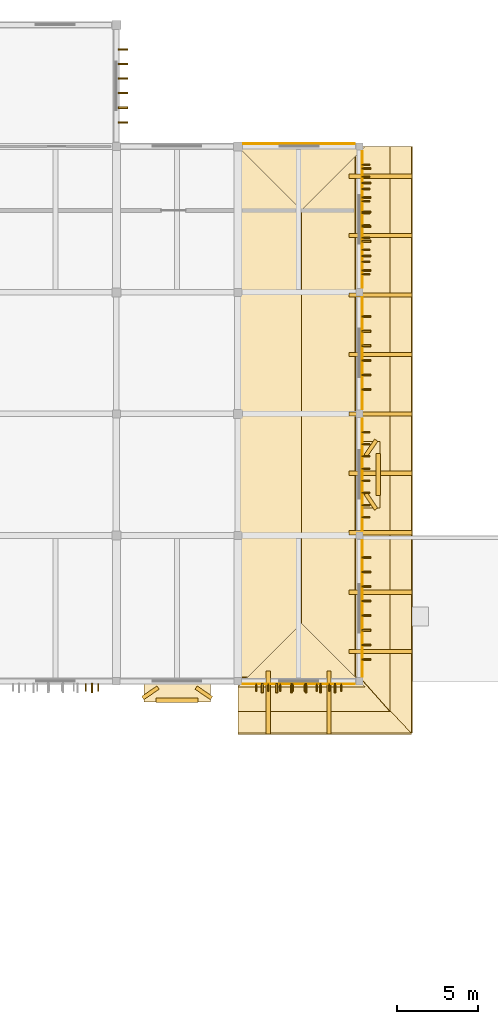
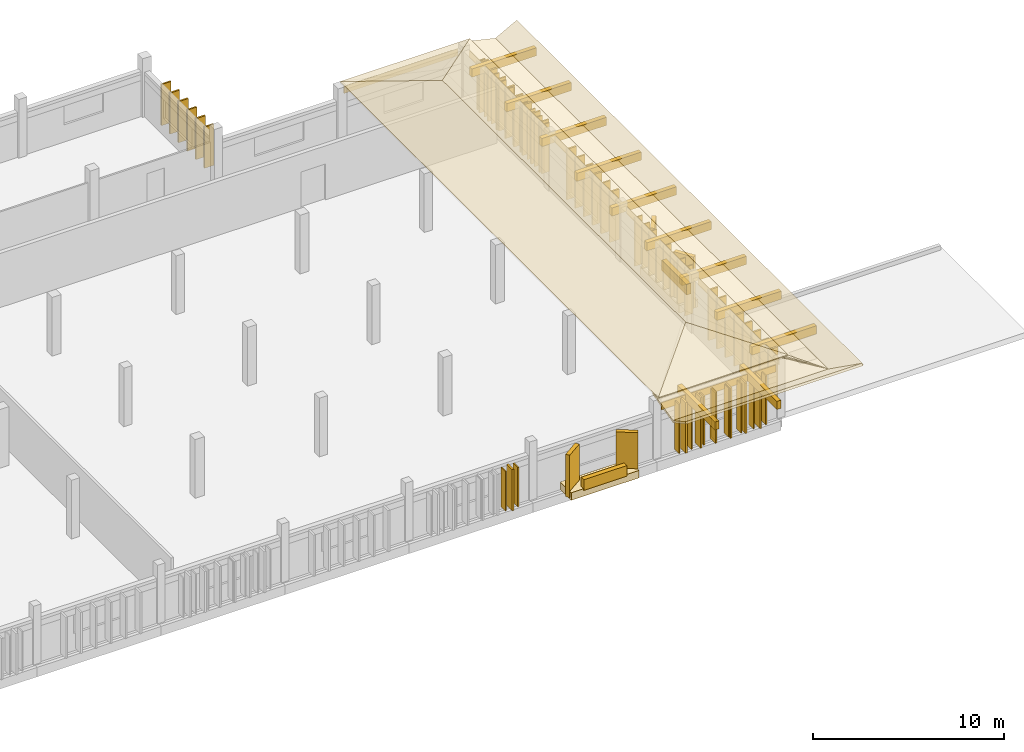
# One storey, part 43 of 43: 68 coverings, 28 shading devices.
"""IFC4 building model written with IfcOpenShell, lengths in metres."""

from ifc_helpers import new_model, si_unit, direction, frame, origin, origin_2d, place, context, subcontext, project, spatial, polyline, rectangle, outline, extrude, material, layer, layer_set, type_object, element, save


model = new_model("IFC4")

# Units and contexts
model_context = context("Model", 3, precision=1e-05, world=origin(), true_north=direction((0.0, 1.0)))
body_context = subcontext(model_context, "Body", "Model", "MODEL_VIEW")
ifc_project = project(units=[si_unit("LENGTHUNIT", "METRE"), si_unit("AREAUNIT", "SQUARE_METRE"), si_unit("VOLUMEUNIT", "CUBIC_METRE"), si_unit("PLANEANGLEUNIT", "RADIAN"), si_unit("MASSUNIT", "GRAM", prefix="KILO")], contexts=[model_context])

# Site, building, storey
site_placement = place(None, origin())
site = spatial("IfcSite", under=ifc_project, at=site_placement, CompositionType="ELEMENT")
building_placement = place(site_placement, origin())
building = spatial("IfcBuilding", under=site, at=building_placement, Name="Dalvernix Boulevard General Hospital", CompositionType="ELEMENT")
storey_placement = place(building_placement, frame((0.0, 0.0, 14.10009765625)))
storey = spatial("IfcBuildingStorey", under=building, at=storey_placement, Name="L03", CompositionType="ELEMENT", Elevation=14.10009765625)

# Coverings
ifc_material_1 = material(Name="Polychrome glazed Catalan trencadis ceramic faceted bay spandrel")
ifc_layer_1 = layer(ifc_material_1, 0.280029296875)
ifc_layer_set_1 = layer_set([ifc_layer_1], Name="Polychrome glazed Catalan trencadis ceramic faceted bay spandrel (COV-BAY-01)")
covering_type_1 = type_object("IfcCoveringType", Name="COV-BAY-01", PredefinedType="CLADDING", material=ifc_layer_set_1)
covering_1_placement = place(storey_placement, frame((131.25, 75.340087890625, 0.3798828125), z_axis=(0.0, 0.0, 1.0), x_axis=(-1.0, 0.0, 0.0)))
element("IfcCovering", 1, at=covering_1_placement, inside=storey, type_object=covering_type_1, Name="L03 projecting faceted trencadis bay spandrel S 17-10", PredefinedType="CLADDING", context=body_context, shape_type="SweptSolid", body=[
    extrude(rectangle(XDim=2.60009765625, YDim=0.280029296875, at=origin_2d()), origin(), (0.0, 0.0, 1.0), 0.679931640625),
])
for number, where, z_axis, x_axis, name in (
    (2, (132.89990234375, 75.7900390625, 0.079833984375), (0.0, 0.0, 1.0), (-0.829037572555, 0.559192903471, 0.0), "L03 projecting faceted Catalan bay cheek S 17-10-L"),
    (3, (129.60009765625, 75.7900390625, 0.079833984375), (0.0, 0.0, 1.0), (-0.829037572555, -0.559192903471, 0.0), "L03 projecting faceted Catalan bay cheek S 17-10-R"),
):
    element("IfcCovering", number, at=place(storey_placement, frame(where, z_axis=z_axis, x_axis=x_axis)), inside=storey, type_object=covering_type_1, Name=name, PredefinedType="CLADDING", context=body_context, shape_type="SweptSolid", body=[
        extrude(rectangle(XDim=1.14990234375, YDim=0.239990234375, at=origin_2d()), origin(), (0.0, 0.0, 1.0), 2.7099609375),
    ])
covering_2_placement = place(storey_placement, frame((143.659912109375, 89.25, 0.3798828125), z_axis=(0.0, 0.0, 1.0), x_axis=(0.0, -1.0, 0.0)))
element("IfcCovering", 4, at=covering_2_placement, inside=storey, type_object=covering_type_1, Name="L03 projecting faceted trencadis bay spandrel E 19-11", PredefinedType="CLADDING", context=body_context, shape_type="SweptSolid", body=[
    extrude(rectangle(XDim=2.60009765625, YDim=0.280029296875, at=origin_2d()), origin(), (0.0, 0.0, 1.0), 0.679931640625),
])
for number, where, z_axis, x_axis, name in (
    (5, (143.2099609375, 90.89990234375, 0.079833984375), (0.0, 0.0, 1.0), (-0.559192903471, -0.829037572555, 0.0), "L03 projecting faceted Catalan bay cheek E 19-11-L"),
    (6, (143.2099609375, 87.60009765625, 0.079833984375), (0.0, 0.0, 1.0), (0.559192903471, -0.829037572555, 0.0), "L03 projecting faceted Catalan bay cheek E 19-11-R"),
):
    element("IfcCovering", number, at=place(storey_placement, frame(where, z_axis=z_axis, x_axis=x_axis)), inside=storey, type_object=covering_type_1, Name=name, PredefinedType="CLADDING", context=body_context, shape_type="SweptSolid", body=[
        extrude(rectangle(XDim=1.14990234375, YDim=0.239990234375, at=origin_2d()), origin(), (0.0, 0.0, 1.0), 3.31005859375),
    ])
ifc_material_2 = material(Name="Polychrome Catalan glazed ceramic spandrel tile panel")
ifc_layer_2 = layer(ifc_material_2, 0.044921875)
ifc_layer_set_2 = layer_set([ifc_layer_2], Name="Polychrome Catalan glazed ceramic spandrel tile panel (COV-CLD-01)")
covering_type_2 = type_object("IfcCoveringType", Name="COV-CLD-01", PredefinedType="CLADDING", material=ifc_layer_set_2)
covering_3_placement = place(storey_placement, frame((138.75, 76.330078125, 2.9951171875), z_axis=(0.0, 0.0, 1.0), x_axis=(-1.0, 0.0, 0.0)))
element("IfcCovering", 7, at=covering_3_placement, inside=storey, type_object=covering_type_2, Name="L03 polychrome ceramic spandrel S 18-10", PredefinedType="CLADDING", context=body_context, shape_type="SweptSolid", body=[
    extrude(rectangle(XDim=6.929931640625, YDim=0.044921875, at=origin_2d()), origin(), (0.0, 0.0, 1.0), 0.449951171875),
])
covering_4_placement = place(storey_placement, frame((142.669921875, 81.0, 2.9951171875), z_axis=(0.0, 0.0, 1.0), x_axis=(0.0, -1.0, 0.0)))
element("IfcCovering", 8, at=covering_4_placement, inside=storey, type_object=covering_type_2, Name="L03 polychrome ceramic spandrel E 19-10", PredefinedType="CLADDING", context=body_context, shape_type="SweptSolid", body=[
    extrude(rectangle(XDim=8.429931640625, YDim=0.044921875, at=origin_2d()), origin(), (0.0, 0.0, 1.0), 0.449951171875),
])
for number, where, z_axis, x_axis, name in (
    (9, (142.669921875, 89.25, 2.9951171875), (0.0, 0.0, 1.0), (0.0, -1.0, 0.0), "L03 polychrome ceramic spandrel E 19-11"),
    (10, (142.669921875, 96.75, 2.9951171875), (0.0, 0.0, 1.0), (0.0, -1.0, 0.0), "L03 polychrome ceramic spandrel E 19-12"),
):
    element("IfcCovering", number, at=place(storey_placement, frame(where, z_axis=z_axis, x_axis=x_axis)), inside=storey, type_object=covering_type_2, Name=name, PredefinedType="CLADDING", context=body_context, shape_type="SweptSolid", body=[
        extrude(rectangle(XDim=6.929931640625, YDim=0.044921875, at=origin_2d()), origin(), (0.0, 0.0, 1.0), 0.449951171875),
    ])
covering_5_placement = place(storey_placement, frame((138.77490234375, 109.669921875, 2.9951171875), z_axis=(0.0, 0.0, 1.0), x_axis=(1.0, 0.0, 0.0)))
element("IfcCovering", 11, at=covering_5_placement, inside=storey, type_object=covering_type_2, Name="L03 polychrome ceramic spandrel N 18-14", PredefinedType="CLADDING", context=body_context, shape_type="SweptSolid", body=[
    extrude(rectangle(XDim=6.8798828125, YDim=0.044921875, at=origin_2d()), origin(), (0.0, 0.0, 1.0), 0.449951171875),
])
covering_6_placement = place(storey_placement, frame((142.669921875, 105.0, 2.9951171875), z_axis=(0.0, 0.0, 1.0), x_axis=(0.0, -1.0, 0.0)))
element("IfcCovering", 12, at=covering_6_placement, inside=storey, type_object=covering_type_2, Name="L03 polychrome ceramic spandrel E 19-13", PredefinedType="CLADDING", context=body_context, shape_type="SweptSolid", body=[
    extrude(rectangle(XDim=8.429931640625, YDim=0.044921875, at=origin_2d()), origin(), (0.0, 0.0, 1.0), 0.449951171875),
])
ifc_material_3 = material(Name="Dressed ochre limestone classical plinth, stringcourse and corbelled cornice", Category="masonry")
ifc_layer_3 = layer(ifc_material_3, 0.449951171875)
ifc_layer_set_3 = layer_set([ifc_layer_3], Name="Dressed ochre limestone classical plinth, stringcourse and corbelled cornice (COV-CRN-01)")
covering_type_3 = type_object("IfcCoveringType", Name="COV-CRN-01", PredefinedType="CLADDING", material=ifc_layer_set_3)
for number, where, z_axis, x_axis, name in (
    (13, (131.25, 75.794921875, 0.0), (0.0, 0.0, 1.0), (-1.0, 0.0, 0.0), "L03 projecting Catalan bay corbel base S 17-10"),
    (14, (143.205078125, 89.25, 0.0), (0.0, 0.0, 1.0), (0.0, -1.0, 0.0), "L03 projecting Catalan bay corbel base E 19-11"),
):
    element("IfcCovering", number, at=place(storey_placement, frame(where, z_axis=z_axis, x_axis=x_axis)), inside=storey, type_object=covering_type_3, Name=name, PredefinedType="CLADDING", context=body_context, shape_type="SweptSolid", body=[
        extrude(rectangle(XDim=4.10009765625, YDim=1.14990234375, at=origin_2d()), origin(), (0.0, 0.0, 1.0), 0.47998046875),
    ])
ifc_material_4 = material(Name="Glazed Catalan terracotta and iroko timber overhanging upturned eave", Category="masonry")
ifc_layer_4 = layer(ifc_material_4, 0.139892578125)
ifc_layer_set_4 = layer_set([ifc_layer_4], Name="Glazed Catalan terracotta and iroko timber overhanging upturned eave (COV-EAVE-01)")
covering_type_4 = type_object("IfcCoveringType", Name="COV-EAVE-01", PredefinedType="CLADDING", material=ifc_layer_set_4)
covering_7_placement = place(storey_placement, frame((142.25, 76.5, 3.955810546875), z_axis=(0.230038471981, 0.0, 0.97318153569), x_axis=(0.0, 1.0, 0.0)))
element("IfcCovering", 15, at=covering_7_placement, inside=storey, type_object=covering_type_4, Name="V3-L03E overhanging ceramic eave skirt E", PredefinedType="CLADDING", context=body_context, shape_type="SweptSolid", body=[
    extrude(outline(polyline([(0.0, 0.0), (33.0, 0.0), (33.0, -2.260576358258145), (-1.949951171875, -2.260576358258145), (0.0, 0.0)])), origin(), (0.0, 0.0, -1.0), 0.139892578125),
])
covering_8_placement = place(storey_placement, frame((144.3701171875, 74.550048828125, 3.435791015625), z_axis=(-0.476225941914, 0.0, 0.879322951053), x_axis=(0.0, 1.0, 0.0)))
element("IfcCovering", 16, at=covering_8_placement, inside=storey, type_object=covering_type_4, Name="V3-L03E upturned ceramic eave wing E", PredefinedType="CLADDING", context=body_context, shape_type="SweptSolid", body=[
    extrude(outline(polyline([(0.0, 0.0), (34.949951171875, 0.0), (34.949951171875, -1.5123385358961547), (-1.25, -1.5123385358961547), (0.0, 0.0)])), origin(), (0.0, 0.0, -1.0), 0.139892578125),
])
covering_9_placement = place(storey_placement, frame((135.0, 76.75, 3.955810546875), z_axis=(0.0, -0.230038471981, 0.97318153569), x_axis=(1.0, 0.0, 0.0)))
element("IfcCovering", 17, at=covering_9_placement, inside=storey, type_object=covering_type_4, Name="V3-L03E overhanging ceramic eave skirt S", PredefinedType="CLADDING", context=body_context, shape_type="SweptSolid", body=[
    extrude(outline(polyline([(0.0, 0.0), (7.5, 0.0), (9.449951171875, -2.2605763582581444), (0.0, -2.2605763582581444), (0.0, 0.0)])), origin(), (0.0, 0.0, -1.0), 0.139892578125),
])
covering_10_placement = place(storey_placement, frame((135.0, 74.6298828125, 3.435791015625), z_axis=(0.0, 0.476225941914, 0.879322951053), x_axis=(1.0, 0.0, 0.0)))
element("IfcCovering", 18, at=covering_10_placement, inside=storey, type_object=covering_type_4, Name="V3-L03E upturned ceramic eave wing S", PredefinedType="CLADDING", context=body_context, shape_type="SweptSolid", body=[
    extrude(outline(polyline([(0.0, 0.0), (9.449951171875, 0.0), (10.699951171875, -1.5123385358961545), (0.0, -1.5123385358961545), (0.0, 0.0)])), origin(), (0.0, 0.0, -1.0), 0.139892578125),
])
ifc_material_5 = material(Name="Terracotta-clad iroko timber brise-soleil sun-breaker fin", Category="masonry")
ifc_layer_5 = layer(ifc_material_5, 0.10009765625)
ifc_layer_set_5 = layer_set([ifc_layer_5], Name="Terracotta-clad iroko timber brise-soleil sun-breaker fin (COV-FIN-02)")
covering_type_5 = type_object("IfcCoveringType", Name="COV-FIN-02", PredefinedType="CLADDING", material=ifc_layer_set_5)
for number, where, z_axis, x_axis, name in (
    (19, (126.0, 76.080078125, 0.119873046875), (0.0, 0.0, 1.0), (-1.0, 0.0, 0.0), "L03 terracotta brise-soleil fin S 16-10-1"),
    (20, (127.919921875, 115.487548828125, 0.119873046875), (0.0, 0.0, 1.0), (0.0, -1.0, 0.0), "L03 terracotta brise-soleil fin E 17-14-1"),
    (21, (127.919921875, 114.58740234375, 0.119873046875), (0.0, 0.0, 1.0), (0.0, -1.0, 0.0), "L03 terracotta brise-soleil fin E 17-14-2"),
    (22, (127.919921875, 113.6875, 0.119873046875), (0.0, 0.0, 1.0), (0.0, -1.0, 0.0), "L03 terracotta brise-soleil fin E 17-14-3"),
    (23, (127.919921875, 112.78759765625, 0.119873046875), (0.0, 0.0, 1.0), (0.0, -1.0, 0.0), "L03 terracotta brise-soleil fin E 17-14-4"),
    (24, (127.919921875, 111.887451171875, 0.119873046875), (0.0, 0.0, 1.0), (0.0, -1.0, 0.0), "L03 terracotta brise-soleil fin E 17-14-5"),
    (25, (127.919921875, 110.987548828125, 0.119873046875), (0.0, 0.0, 1.0), (0.0, -1.0, 0.0), "L03 terracotta brise-soleil fin E 17-14-6"),
):
    element("IfcCovering", number, at=place(storey_placement, frame(where, z_axis=z_axis, x_axis=x_axis)), inside=storey, type_object=covering_type_5, Name=name, PredefinedType="CLADDING", context=body_context, shape_type="SweptSolid", body=[
        extrude(rectangle(XDim=0.10009765625, YDim=0.580078125, at=origin_2d()), origin(), (0.0, 0.0, 1.0), 2.6298828125),
    ])
for number, where, z_axis, x_axis, name in (
    (26, (141.0, 76.080078125, 0.119873046875), (0.0, 0.0, 1.0), (-1.0, 0.0, 0.0), "L03 terracotta brise-soleil fin S 18-10-1"),
    (27, (140.10009765625, 76.080078125, 0.119873046875), (0.0, 0.0, 1.0), (-1.0, 0.0, 0.0), "L03 terracotta brise-soleil fin S 18-10-2"),
    (28, (139.199951171875, 76.080078125, 0.119873046875), (0.0, 0.0, 1.0), (-1.0, 0.0, 0.0), "L03 terracotta brise-soleil fin S 18-10-3"),
    (29, (138.300048828125, 76.080078125, 0.119873046875), (0.0, 0.0, 1.0), (-1.0, 0.0, 0.0), "L03 terracotta brise-soleil fin S 18-10-4"),
    (30, (137.39990234375, 76.080078125, 0.119873046875), (0.0, 0.0, 1.0), (-1.0, 0.0, 0.0), "L03 terracotta brise-soleil fin S 18-10-5"),
    (31, (136.5, 76.080078125, 0.119873046875), (0.0, 0.0, 1.0), (-1.0, 0.0, 0.0), "L03 terracotta brise-soleil fin S 18-10-6"),
    (32, (142.919921875, 84.14990234375, 0.119873046875), (0.0, 0.0, 1.0), (0.0, -1.0, 0.0), "L03 terracotta brise-soleil fin E 19-10-1"),
    (33, (142.919921875, 83.25, 0.119873046875), (0.0, 0.0, 1.0), (0.0, -1.0, 0.0), "L03 terracotta brise-soleil fin E 19-10-2"),
    (34, (142.919921875, 82.35009765625, 0.119873046875), (0.0, 0.0, 1.0), (0.0, -1.0, 0.0), "L03 terracotta brise-soleil fin E 19-10-3"),
    (35, (142.919921875, 81.449951171875, 0.119873046875), (0.0, 0.0, 1.0), (0.0, -1.0, 0.0), "L03 terracotta brise-soleil fin E 19-10-4"),
    (36, (142.919921875, 80.550048828125, 0.119873046875), (0.0, 0.0, 1.0), (0.0, -1.0, 0.0), "L03 terracotta brise-soleil fin E 19-10-5"),
    (37, (142.919921875, 79.64990234375, 0.119873046875), (0.0, 0.0, 1.0), (0.0, -1.0, 0.0), "L03 terracotta brise-soleil fin E 19-10-6"),
    (38, (142.919921875, 78.75, 0.119873046875), (0.0, 0.0, 1.0), (0.0, -1.0, 0.0), "L03 terracotta brise-soleil fin E 19-10-7"),
    (39, (142.919921875, 77.85009765625, 0.119873046875), (0.0, 0.0, 1.0), (0.0, -1.0, 0.0), "L03 terracotta brise-soleil fin E 19-10-8"),
    (40, (142.919921875, 99.0, 0.119873046875), (0.0, 0.0, 1.0), (0.0, -1.0, 0.0), "L03 terracotta brise-soleil fin E 19-12-1"),
    (41, (142.919921875, 98.10009765625, 0.119873046875), (0.0, 0.0, 1.0), (0.0, -1.0, 0.0), "L03 terracotta brise-soleil fin E 19-12-2"),
    (42, (142.919921875, 97.199951171875, 0.119873046875), (0.0, 0.0, 1.0), (0.0, -1.0, 0.0), "L03 terracotta brise-soleil fin E 19-12-3"),
    (43, (142.919921875, 96.300048828125, 0.119873046875), (0.0, 0.0, 1.0), (0.0, -1.0, 0.0), "L03 terracotta brise-soleil fin E 19-12-4"),
    (44, (142.919921875, 95.39990234375, 0.119873046875), (0.0, 0.0, 1.0), (0.0, -1.0, 0.0), "L03 terracotta brise-soleil fin E 19-12-5"),
    (45, (142.919921875, 94.5, 0.119873046875), (0.0, 0.0, 1.0), (0.0, -1.0, 0.0), "L03 terracotta brise-soleil fin E 19-12-6"),
    (46, (142.919921875, 108.14990234375, 0.119873046875), (0.0, 0.0, 1.0), (0.0, -1.0, 0.0), "L03 terracotta brise-soleil fin E 19-13-1"),
    (47, (142.919921875, 107.25, 0.119873046875), (0.0, 0.0, 1.0), (0.0, -1.0, 0.0), "L03 terracotta brise-soleil fin E 19-13-2"),
    (48, (142.919921875, 106.35009765625, 0.119873046875), (0.0, 0.0, 1.0), (0.0, -1.0, 0.0), "L03 terracotta brise-soleil fin E 19-13-3"),
    (49, (142.919921875, 105.449951171875, 0.119873046875), (0.0, 0.0, 1.0), (0.0, -1.0, 0.0), "L03 terracotta brise-soleil fin E 19-13-4"),
    (50, (142.919921875, 104.550048828125, 0.119873046875), (0.0, 0.0, 1.0), (0.0, -1.0, 0.0), "L03 terracotta brise-soleil fin E 19-13-5"),
    (51, (142.919921875, 103.64990234375, 0.119873046875), (0.0, 0.0, 1.0), (0.0, -1.0, 0.0), "L03 terracotta brise-soleil fin E 19-13-6"),
    (52, (142.919921875, 102.75, 0.119873046875), (0.0, 0.0, 1.0), (0.0, -1.0, 0.0), "L03 terracotta brise-soleil fin E 19-13-7"),
    (53, (142.919921875, 101.85009765625, 0.119873046875), (0.0, 0.0, 1.0), (0.0, -1.0, 0.0), "L03 terracotta brise-soleil fin E 19-13-8"),
):
    element("IfcCovering", number, at=place(storey_placement, frame(where, z_axis=z_axis, x_axis=x_axis)), inside=storey, type_object=covering_type_5, Name=name, PredefinedType="CLADDING", context=body_context, shape_type="SweptSolid", body=[
        extrude(rectangle(XDim=0.10009765625, YDim=0.580078125, at=origin_2d()), origin(), (0.0, 0.0, 1.0), 3.22998046875),
    ])
ifc_material_6 = material(Name="Preservative-treated glulam GL28h eave outlooker corbel bracket", Category="wood")
ifc_layer_6 = layer(ifc_material_6, 0.239990234375)
ifc_layer_set_6 = layer_set([ifc_layer_6], Name="Preservative-treated glulam GL28h eave outlooker corbel bracket (COV-OUTLOOK-01)")
covering_type_6 = type_object("IfcCoveringType", Name="COV-OUTLOOK-01", PredefinedType="CLADDING", material=ifc_layer_set_6)
for number, where, z_axis, x_axis, name in (
    (54, (143.800048828125, 78.333251953125, 3.035888671875), (0.0, 0.0, 1.0), (1.0, 0.0, 0.0), "V3-L03E glulam eave outlooker corbel E-1"),
    (55, (143.800048828125, 82.0, 3.035888671875), (0.0, 0.0, 1.0), (1.0, 0.0, 0.0), "V3-L03E glulam eave outlooker corbel E-2"),
    (56, (143.800048828125, 85.666748046875, 3.035888671875), (0.0, 0.0, 1.0), (1.0, 0.0, 0.0), "V3-L03E glulam eave outlooker corbel E-3"),
    (57, (143.800048828125, 89.333251953125, 3.035888671875), (0.0, 0.0, 1.0), (1.0, 0.0, 0.0), "V3-L03E glulam eave outlooker corbel E-4"),
    (58, (143.800048828125, 93.0, 3.035888671875), (0.0, 0.0, 1.0), (1.0, 0.0, 0.0), "V3-L03E glulam eave outlooker corbel E-5"),
    (59, (143.800048828125, 96.666748046875, 3.035888671875), (0.0, 0.0, 1.0), (1.0, 0.0, 0.0), "V3-L03E glulam eave outlooker corbel E-6"),
    (60, (143.800048828125, 100.333251953125, 3.035888671875), (0.0, 0.0, 1.0), (1.0, 0.0, 0.0), "V3-L03E glulam eave outlooker corbel E-7"),
    (61, (143.800048828125, 104.0, 3.035888671875), (0.0, 0.0, 1.0), (1.0, 0.0, 0.0), "V3-L03E glulam eave outlooker corbel E-8"),
    (62, (143.800048828125, 107.666748046875, 3.035888671875), (0.0, 0.0, 1.0), (1.0, 0.0, 0.0), "V3-L03E glulam eave outlooker corbel E-9"),
):
    element("IfcCovering", number, at=place(storey_placement, frame(where, z_axis=z_axis, x_axis=x_axis)), inside=storey, type_object=covering_type_6, Name=name, PredefinedType="CLADDING", context=body_context, shape_type="SweptSolid", body=[
        extrude(rectangle(XDim=3.89990234375, YDim=0.260009765625, at=origin_2d()), origin(), (0.0, 0.0, 1.0), 0.52001953125),
    ])
for number, where, z_axis, x_axis, name in (
    (63, (136.875, 75.199951171875, 3.035888671875), (0.0, 0.0, 1.0), (1.0, 0.0, 0.0), "V3-L03E glulam eave outlooker corbel S-1"),
    (64, (140.625, 75.199951171875, 3.035888671875), (0.0, 0.0, 1.0), (1.0, 0.0, 0.0), "V3-L03E glulam eave outlooker corbel S-2"),
):
    element("IfcCovering", number, at=place(storey_placement, frame(where, z_axis=z_axis, x_axis=x_axis)), inside=storey, type_object=covering_type_6, Name=name, PredefinedType="CLADDING", context=body_context, shape_type="SweptSolid", body=[
        extrude(rectangle(XDim=0.260009765625, YDim=3.89990234375, at=origin_2d()), origin(), (0.0, 0.0, 1.0), 0.52001953125),
    ])
ifc_material_7 = material(Name="Polychrome Catalan glazed terracotta roof tiles", Category="masonry")
ifc_layer_7 = layer(ifc_material_7, 0.050048828125)
ifc_layer_set_7 = layer_set([ifc_layer_7], Name="Polychrome Catalan glazed terracotta roof tiles (COV-ROOF-01)")
covering_type_7 = type_object("IfcCoveringType", Name="COV-ROOF-01", PredefinedType="ROOFING", material=ifc_layer_set_7)
for number, where, z_axis, x_axis, name in (
    (65, (135.0, 109.5, 3.9658203125), (-0.265592704354, 0.0, 0.964085325785), (0.0, -1.0, 0.0), "V3-L03E glazed terracotta tile slope W"),
    (66, (142.85009765625, 76.14990234375, 3.9658203125), (0.265592704354, 0.0, 0.964085325785), (0.0, 1.0, 0.0), "V3-L03E glazed terracotta tile slope E"),
):
    element("IfcCovering", number, at=place(storey_placement, frame(where, z_axis=z_axis, x_axis=x_axis)), inside=storey, type_object=covering_type_7, Name=name, PredefinedType="ROOFING", context=body_context, shape_type="SweptSolid", body=[
        extrude(outline(polyline([(0.0, 0.0), (33.35009765625, 0.0), (29.425048828125, 4.07126705816137), (3.925048828125, 4.07126705816137), (0.0, 0.0)])), origin(), (0.0, 0.0, -1.0), 0.050048828125),
    ])
for number, where, z_axis, x_axis, name in (
    (67, (135.0, 76.14990234375, 3.9658203125), (0.0, -0.265592704354, 0.964085325785), (1.0, 0.0, 0.0), "V3-L03E glazed terracotta tile slope S"),
    (68, (142.85009765625, 109.5, 3.9658203125), (0.0, 0.265592704354, 0.964085325785), (-1.0, 0.0, 0.0), "V3-L03E glazed terracotta tile slope N"),
):
    element("IfcCovering", number, at=place(storey_placement, frame(where, z_axis=z_axis, x_axis=x_axis)), inside=storey, type_object=covering_type_7, Name=name, PredefinedType="ROOFING", context=body_context, shape_type="SweptSolid", body=[
        extrude(outline(polyline([(0.0, 0.0), (7.85009765625, 0.0), (3.925048828125, 4.07126705816137), (0.0, 0.0)])), origin(), (0.0, 0.0, -1.0), 0.050048828125),
    ])

# Shading devices
ifc_material_8 = material(Name="Preservative-treated West African iroko timber", Category="wood")
shading_device_type = type_object("IfcShadingDeviceType", Name="SHD-FIN-01", PredefinedType="USERDEFINED", material=ifc_material_8)
for number, where, z_axis, x_axis, name in (
    (69, (126.375, 76.1201171875, 0.1748046875), (0.0, 0.0, 1.0), (-1.0, 0.0, 0.0), "L03 iroko brise-soleil fin 1"),
    (70, (125.625, 76.1201171875, 0.1748046875), (0.0, 0.0, 1.0), (-1.0, 0.0, 0.0), "L03 iroko brise-soleil fin 2"),
):
    element("IfcShadingDevice", number, at=place(storey_placement, frame(where, z_axis=z_axis, x_axis=x_axis)), inside=storey, type_object=shading_device_type, Name=name, ObjectType="FIN", PredefinedType="USERDEFINED", context=body_context, shape_type="SweptSolid", body=[
        extrude(rectangle(XDim=0.06494140625, YDim=0.47998046875, at=origin_2d()), origin(), (0.0, 0.0, 1.0), 2.52001953125),
    ])
for number, where, z_axis, x_axis, name in (
    (71, (141.375, 76.1201171875, 0.1748046875), (0.0, 0.0, 1.0), (-1.0, 0.0, 0.0), "L03 iroko brise-soleil fin 1"),
    (72, (140.625, 76.1201171875, 0.1748046875), (0.0, 0.0, 1.0), (-1.0, 0.0, 0.0), "L03 iroko brise-soleil fin 2"),
    (73, (139.875, 76.1201171875, 0.1748046875), (0.0, 0.0, 1.0), (-1.0, 0.0, 0.0), "L03 iroko brise-soleil fin 3"),
    (74, (139.125, 76.1201171875, 0.1748046875), (0.0, 0.0, 1.0), (-1.0, 0.0, 0.0), "L03 iroko brise-soleil fin 4"),
    (75, (138.375, 76.1201171875, 0.1748046875), (0.0, 0.0, 1.0), (-1.0, 0.0, 0.0), "L03 iroko brise-soleil fin 5"),
    (76, (137.625, 76.1201171875, 0.1748046875), (0.0, 0.0, 1.0), (-1.0, 0.0, 0.0), "L03 iroko brise-soleil fin 6"),
    (77, (136.875, 76.1201171875, 0.1748046875), (0.0, 0.0, 1.0), (-1.0, 0.0, 0.0), "L03 iroko brise-soleil fin 7"),
    (78, (136.125, 76.1201171875, 0.1748046875), (0.0, 0.0, 1.0), (-1.0, 0.0, 0.0), "L03 iroko brise-soleil fin 8"),
    (79, (142.8798828125, 91.875, 0.1748046875), (0.0, 0.0, 1.0), (0.0, -1.0, 0.0), "L03 iroko brise-soleil fin 1"),
    (80, (142.8798828125, 91.125, 0.1748046875), (0.0, 0.0, 1.0), (0.0, -1.0, 0.0), "L03 iroko brise-soleil fin 2"),
    (81, (142.8798828125, 90.375, 0.1748046875), (0.0, 0.0, 1.0), (0.0, -1.0, 0.0), "L03 iroko brise-soleil fin 3"),
    (82, (142.8798828125, 89.625, 0.1748046875), (0.0, 0.0, 1.0), (0.0, -1.0, 0.0), "L03 iroko brise-soleil fin 4"),
    (83, (142.8798828125, 88.875, 0.1748046875), (0.0, 0.0, 1.0), (0.0, -1.0, 0.0), "L03 iroko brise-soleil fin 5"),
    (84, (142.8798828125, 88.125, 0.1748046875), (0.0, 0.0, 1.0), (0.0, -1.0, 0.0), "L03 iroko brise-soleil fin 6"),
    (85, (142.8798828125, 87.375, 0.1748046875), (0.0, 0.0, 1.0), (0.0, -1.0, 0.0), "L03 iroko brise-soleil fin 7"),
    (86, (142.8798828125, 86.625, 0.1748046875), (0.0, 0.0, 1.0), (0.0, -1.0, 0.0), "L03 iroko brise-soleil fin 8"),
    (87, (142.8798828125, 108.375, 0.1748046875), (0.0, 0.0, 1.0), (0.0, -1.0, 0.0), "L03 iroko brise-soleil fin 1"),
    (88, (142.8798828125, 107.625, 0.1748046875), (0.0, 0.0, 1.0), (0.0, -1.0, 0.0), "L03 iroko brise-soleil fin 2"),
    (89, (142.8798828125, 106.875, 0.1748046875), (0.0, 0.0, 1.0), (0.0, -1.0, 0.0), "L03 iroko brise-soleil fin 3"),
    (90, (142.8798828125, 106.125, 0.1748046875), (0.0, 0.0, 1.0), (0.0, -1.0, 0.0), "L03 iroko brise-soleil fin 4"),
    (91, (142.8798828125, 105.375, 0.1748046875), (0.0, 0.0, 1.0), (0.0, -1.0, 0.0), "L03 iroko brise-soleil fin 5"),
    (92, (142.8798828125, 104.625, 0.1748046875), (0.0, 0.0, 1.0), (0.0, -1.0, 0.0), "L03 iroko brise-soleil fin 6"),
    (93, (142.8798828125, 103.875, 0.1748046875), (0.0, 0.0, 1.0), (0.0, -1.0, 0.0), "L03 iroko brise-soleil fin 7"),
    (94, (142.8798828125, 103.125, 0.1748046875), (0.0, 0.0, 1.0), (0.0, -1.0, 0.0), "L03 iroko brise-soleil fin 8"),
    (95, (142.8798828125, 102.375, 0.1748046875), (0.0, 0.0, 1.0), (0.0, -1.0, 0.0), "L03 iroko brise-soleil fin 9"),
    (96, (142.8798828125, 101.625, 0.1748046875), (0.0, 0.0, 1.0), (0.0, -1.0, 0.0), "L03 iroko brise-soleil fin 10"),
):
    element("IfcShadingDevice", number, at=place(storey_placement, frame(where, z_axis=z_axis, x_axis=x_axis)), inside=storey, type_object=shading_device_type, Name=name, ObjectType="FIN", PredefinedType="USERDEFINED", context=body_context, shape_type="SweptSolid", body=[
        extrude(rectangle(XDim=0.06494140625, YDim=0.47998046875, at=origin_2d()), origin(), (0.0, 0.0, 1.0), 3.1201171875),
    ])

save(model, "model.ifc")
